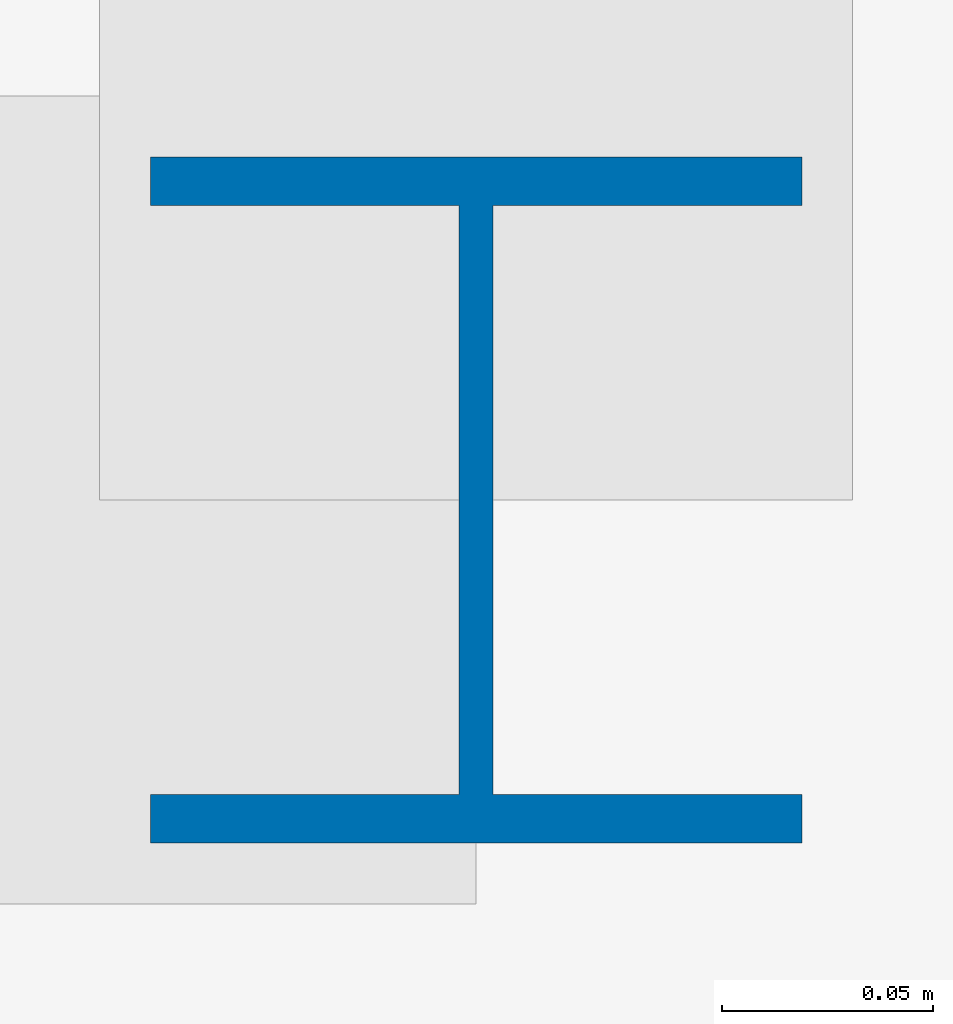
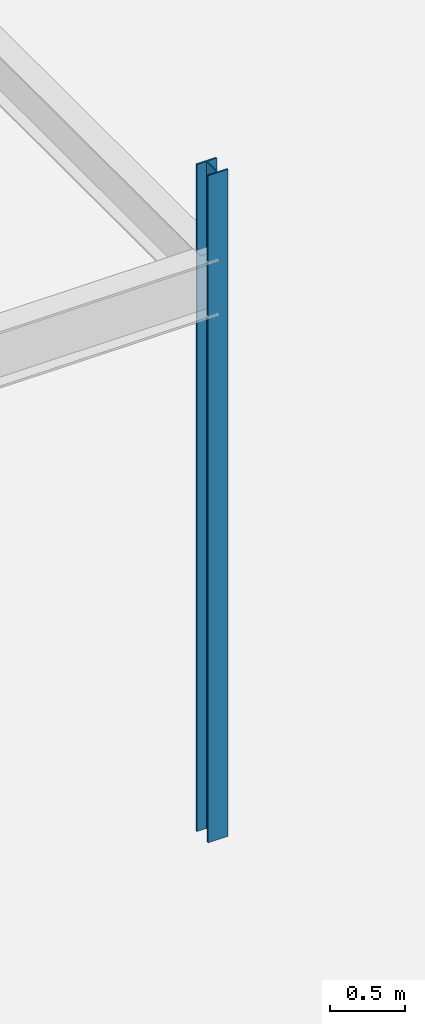
# One storey, part 47 of 199: 1 column.
"""IFC4 building model written with IfcOpenShell, lengths in metres."""

from ifc_helpers import new_model, si_unit, direction, frame, origin, origin_2d, place, context, subcontext, project, spatial, i_section, extrude, material, material_profile, profile_set, type_object, element, save


model = new_model("IFC4")

# Units and contexts
model_context = context("Model", 3, precision=1e-05, world=origin(), true_north=direction((0.0, 1.0)))
body_context = subcontext(model_context, "Body", "Model", "MODEL_VIEW")
ifc_project = project(units=[si_unit("LENGTHUNIT", "METRE"), si_unit("AREAUNIT", "SQUARE_METRE"), si_unit("VOLUMEUNIT", "CUBIC_METRE"), si_unit("PLANEANGLEUNIT", "RADIAN"), si_unit("MASSUNIT", "GRAM", prefix="KILO")], contexts=[model_context])

# Site, building, storey
site_placement = place(None, origin())
site = spatial("IfcSite", under=ifc_project, at=site_placement, CompositionType="ELEMENT")
building_placement = place(site_placement, origin())
building = spatial("IfcBuilding", under=site, at=building_placement, Name="Tarnwether General Hospital", CompositionType="ELEMENT")
storey_placement = place(building_placement, origin())
storey = spatial("IfcBuildingStorey", under=building, at=storey_placement, Name="L00", CompositionType="ELEMENT", Elevation=0.0)

# Column
ifc_material = material(Name="Steel Grade 350 (350 MPa)", Category="steel")
ifc_material_profile = material_profile(ifc_material, i_section(OverallWidth=0.154052734375, OverallDepth=0.162109375, WebThickness=0.008056640625, FlangeThickness=0.011474609375, at=origin_2d()), Name="150UC37.2")
ifc_profile_set = profile_set([ifc_material_profile], Name="Steel Grade 350 (350 MPa)")
column_type = type_object("IfcColumnType", Name="COL-28", PredefinedType="COLUMN", material=ifc_profile_set)
column_placement = place(storey_placement, frame((155.39990234375, 57.60009765625, 0.0), z_axis=(0.0, 0.0, 1.0), x_axis=(1.0, 0.0, 0.0)))
element("IfcColumn", 1, at=column_placement, inside=storey, type_object=column_type, Name="Column COLG-L00-15540_5760", PredefinedType="COLUMN", context=body_context, shape_type="SweptSolid", body=[
    extrude(i_section(OverallWidth=0.154052734375, OverallDepth=0.162109375, WebThickness=0.008056640625, FlangeThickness=0.011474609375, at=origin_2d()), origin(), (0.0, 0.0, 1.0), 5.449951171875),
])

save(model, "model.ifc")
